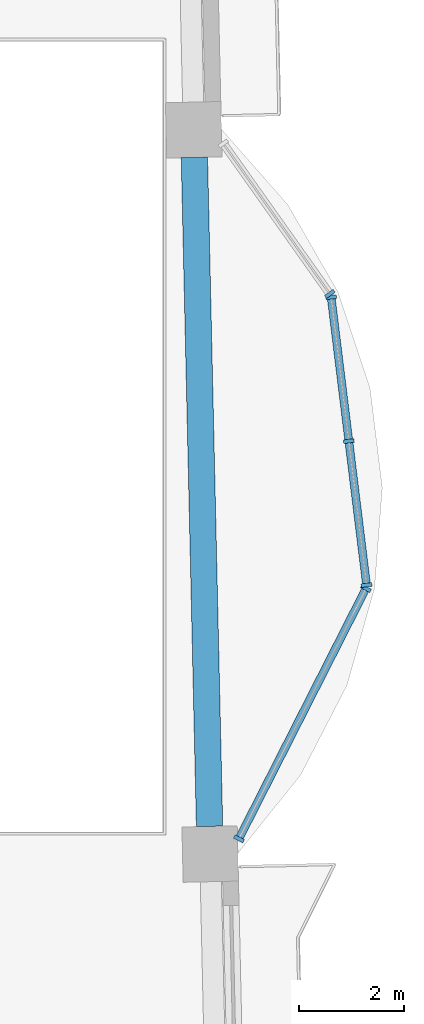
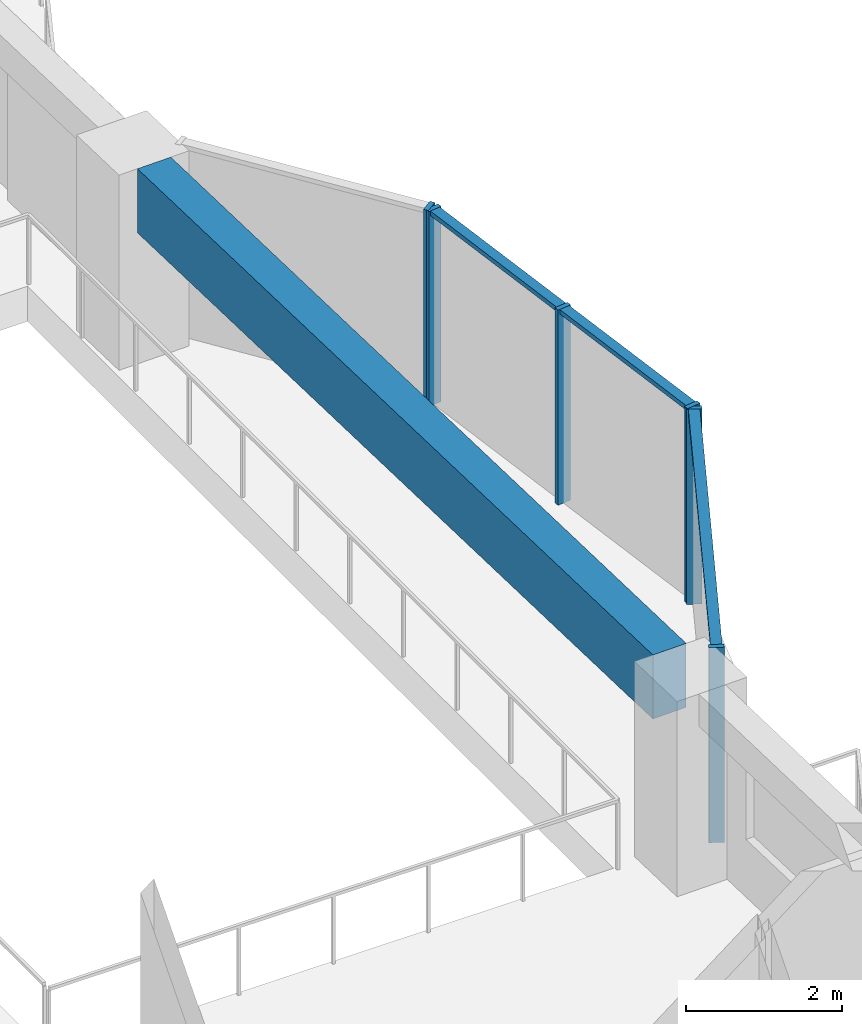
# One storey, part 2 of 17: 9 members, 1 beam, 3 elements without a shape of their own.
"""IFC4 building model written with IfcOpenShell, lengths in metres."""

from ifc_helpers import new_model, si_unit, direction, frame, origin, origin_2d, place, context, subcontext, project, spatial, rectangle, extrude, material, material_profile, profile_set, type_object, element, aggregate, save


model = new_model("IFC4")

# Units and contexts
model_context = context("Model", 3, precision=1e-05, world=origin(), true_north=direction((0.0, 1.0)))
body_context = subcontext(model_context, "Body", "Model", "MODEL_VIEW")
ifc_project = project(units=[si_unit("LENGTHUNIT", "METRE"), si_unit("AREAUNIT", "SQUARE_METRE"), si_unit("VOLUMEUNIT", "CUBIC_METRE"), si_unit("PLANEANGLEUNIT", "RADIAN"), si_unit("MASSUNIT", "GRAM", prefix="KILO")], contexts=[model_context])

# Site, building, storey
site_placement = place(None, origin())
site = spatial("IfcSite", under=ifc_project, at=site_placement, CompositionType="ELEMENT")
building_placement = place(site_placement, origin())
building = spatial("IfcBuilding", under=site, at=building_placement, Name="Mangrove Gate Tower", CompositionType="ELEMENT")
storey_placement = place(building_placement, frame((0.0, 0.0, 249.10009765625)))
storey = spatial("IfcBuildingStorey", under=building, at=storey_placement, Name="L63", CompositionType="ELEMENT", Elevation=249.10009765625)

# Curtain wall, members
ifc_material_1 = material(Name="Aluminium and glass curtain wall", Category="aluminium")
curtain_wall_type = type_object("IfcCurtainWallType", Name="Atrium garden-court glazing wall", PredefinedType="NOTDEFINED", material=ifc_material_1)
curtain_wall_1_placement = place(storey_placement, origin())
curtain_wall_1 = element("IfcCurtainWall", 1, at=curtain_wall_1_placement, inside=storey, type_object=curtain_wall_type, Name="Atrium garden-court glazing E1f1", PredefinedType="NOTDEFINED")
ifc_material_2 = material(Name="Aluminium alloy 6063-T6", Category="aluminium")
ifc_material_profile_1 = material_profile(ifc_material_2, rectangle(XDim=0.070068359375, YDim=0.199951171875, at=origin_2d()))
ifc_profile_set_1 = profile_set([ifc_material_profile_1], Name="Aluminium alloy 6063-T6")
member_type_1 = type_object("IfcMemberType", Name="Atrium garden-court glazing mullion 70x200", PredefinedType="MULLION", material=ifc_profile_set_1)
member_1_placement = place(storey_placement, frame((25.67333984375, -7.632080078125, 0.0), z_axis=(0.0, 0.0, 1.0), x_axis=(0.452597795636, 0.891714772439, 0.0)))
member_1 = element("IfcMember", 2, at=member_1_placement, type_object=member_type_1, Name="CWA mullion 1", PredefinedType="MULLION", context=body_context, shape_type="SweptSolid", body=[
    extrude(rectangle(XDim=0.070068359375, YDim=0.199951171875, at=origin_2d()), origin(), (0.0, 0.0, 1.0), 3.0498046875),
])
member_2_placement = place(storey_placement, frame((28.084716796875, -2.881103515625, 0.0), z_axis=(0.0, 0.0, 1.0), x_axis=(0.452597795636, 0.891714772439, 0.0)))
member_2 = element("IfcMember", 3, at=member_2_placement, type_object=member_type_1, Name="CWA mullion 2", PredefinedType="MULLION", context=body_context, shape_type="SweptSolid", body=[
    extrude(rectangle(XDim=0.070068359375, YDim=0.199951171875, at=origin_2d()), origin(), (0.0, 0.0, 1.0), 3.0498046875),
])

curtain_wall_2_placement = place(storey_placement, origin())
curtain_wall_2 = element("IfcCurtainWall", 4, at=curtain_wall_2_placement, inside=storey, type_object=curtain_wall_type, Name="Atrium garden-court glazing E1f2", PredefinedType="NOTDEFINED")
member_3_placement = place(storey_placement, frame((28.09619140625, -2.815185546875, 0.0), z_axis=(0.0, 0.0, 1.0), x_axis=(-0.122172285885, 0.992508908051, 0.0)))
member_3 = element("IfcMember", 5, at=member_3_placement, type_object=member_type_1, Name="CWA mullion 1", PredefinedType="MULLION", context=body_context, shape_type="SweptSolid", body=[
    extrude(rectangle(XDim=0.070068359375, YDim=0.199951171875, at=origin_2d()), origin(), (0.0, 0.0, 1.0), 3.0498046875),
])
member_4_placement = place(storey_placement, frame((27.760009765625, -0.083984375, 0.0), z_axis=(0.0, 0.0, 1.0), x_axis=(-0.122172285885, 0.992508908051, 0.0)))
member_4 = element("IfcMember", 6, at=member_4_placement, type_object=member_type_1, Name="CWA mullion 2", PredefinedType="MULLION", context=body_context, shape_type="SweptSolid", body=[
    extrude(rectangle(XDim=0.070068359375, YDim=0.199951171875, at=origin_2d()), origin(), (0.0, 0.0, 1.0), 3.0498046875),
])
member_5_placement = place(storey_placement, frame((27.423828125, 2.647216796875, 0.0), z_axis=(0.0, 0.0, 1.0), x_axis=(-0.122172285885, 0.992508908051, 0.0)))
member_5 = element("IfcMember", 7, at=member_5_placement, type_object=member_type_1, Name="CWA mullion 3", PredefinedType="MULLION", context=body_context, shape_type="SweptSolid", body=[
    extrude(rectangle(XDim=0.070068359375, YDim=0.199951171875, at=origin_2d()), origin(), (0.0, 0.0, 1.0), 3.0498046875),
])

# Curtain wall, member
curtain_wall_3_placement = place(storey_placement, origin())
curtain_wall_3 = element("IfcCurtainWall", 8, at=curtain_wall_3_placement, inside=storey, type_object=curtain_wall_type, Name="Atrium garden-court glazing E1f3", PredefinedType="NOTDEFINED")
member_6_placement = place(storey_placement, frame((27.3994140625, 2.71044921875, 0.0), z_axis=(0.0, 0.0, 1.0), x_axis=(-0.578120908245, 0.815951110944, 0.0)))
member_6 = element("IfcMember", 9, at=member_6_placement, type_object=member_type_1, Name="CWA mullion 1", PredefinedType="MULLION", context=body_context, shape_type="SweptSolid", body=[
    extrude(rectangle(XDim=0.070068359375, YDim=0.199951171875, at=origin_2d()), origin(), (0.0, 0.0, 1.0), 3.0498046875),
])
aggregate(curtain_wall_3, [member_6])

# Member
ifc_material_3 = material(Name="Aluminium alloy 6063-T6", Category="aluminium")
ifc_material_profile_2 = material_profile(ifc_material_3, rectangle(XDim=0.070068359375, YDim=0.14990234375, at=origin_2d()))
ifc_profile_set_2 = profile_set([ifc_material_profile_2], Name="Aluminium alloy 6063-T6")
member_type_2 = type_object("IfcMemberType", Name="Atrium garden-court glazing transom 70x150", PredefinedType="USERDEFINED", material=ifc_profile_set_2)
member_7_placement = place(storey_placement, frame((25.689208984375, -7.600830078125, 3.014892578125), z_axis=(0.452591825712, 0.891717802502, 0.0), x_axis=(0.0, 0.0, 1.0)))
member_7 = element("IfcMember", 10, at=member_7_placement, type_object=member_type_2, Name="CWA transom 1.2", ObjectType="TRANSOM", PredefinedType="USERDEFINED", context=body_context, shape_type="SweptSolid", body=[
    extrude(rectangle(XDim=0.070068359375, YDim=0.14990234375, at=origin_2d()), origin(), (0.0, 0.0, 1.0), 5.2578125),
])

aggregate(curtain_wall_1, [member_1, member_2, member_7])

member_8_placement = place(storey_placement, frame((28.092041015625, -2.7802734375, 3.014892578125), z_axis=(-0.122174517154, 0.992508633392, 0.0), x_axis=(0.0, 0.0, 1.0)))
member_8 = element("IfcMember", 11, at=member_8_placement, type_object=member_type_2, Name="CWA transom 1.2", ObjectType="TRANSOM", PredefinedType="USERDEFINED", context=body_context, shape_type="SweptSolid", body=[
    extrude(rectangle(XDim=0.070068359375, YDim=0.14990234375, at=origin_2d()), origin(), (0.0, 0.0, 1.0), 2.681640625),
])

member_9_placement = place(storey_placement, frame((27.755859375, -0.04931640625, 3.014892578125), z_axis=(-0.122174517154, 0.992508633392, 0.0), x_axis=(0.0, 0.0, 1.0)))
member_9 = element("IfcMember", 12, at=member_9_placement, type_object=member_type_2, Name="CWA transom 2.2", ObjectType="TRANSOM", PredefinedType="USERDEFINED", context=body_context, shape_type="SweptSolid", body=[
    extrude(rectangle(XDim=0.070068359375, YDim=0.14990234375, at=origin_2d()), origin(), (0.0, 0.0, 1.0), 2.681640625),
])

aggregate(curtain_wall_2, [member_3, member_4, member_5, member_8, member_9])

# Beam
ifc_material_4 = material(Name="Concrete C50/60", Category="concrete")
ifc_material_profile_3 = material_profile(ifc_material_4, rectangle(XDim=0.5, YDim=1.0, at=origin_2d()))
ifc_profile_set_3 = profile_set([ifc_material_profile_3], Name="Concrete C50/60")
beam_type = type_object("IfcBeamType", Name="Edge beam RC 500x1000 C50/60", PredefinedType="BEAM", material=ifc_profile_set_3)
beam_placement = place(storey_placement, frame((25.1162109375, -7.39599609375, 2.5498046875), z_axis=(-0.022682979457, 0.999742708122, 0.0), x_axis=(-0.999742708122, -0.022682979457, 0.0)))
element("IfcBeam", 13, at=beam_placement, inside=storey, type_object=beam_type, Name="Edge beam L63 14", PredefinedType="BEAM", context=body_context, shape_type="SweptSolid", body=[
    extrude(rectangle(XDim=0.5, YDim=1.0, at=origin_2d()), origin(), (0.0, 0.0, 1.0), 12.700439453125),
])

save(model, "model.ifc")
